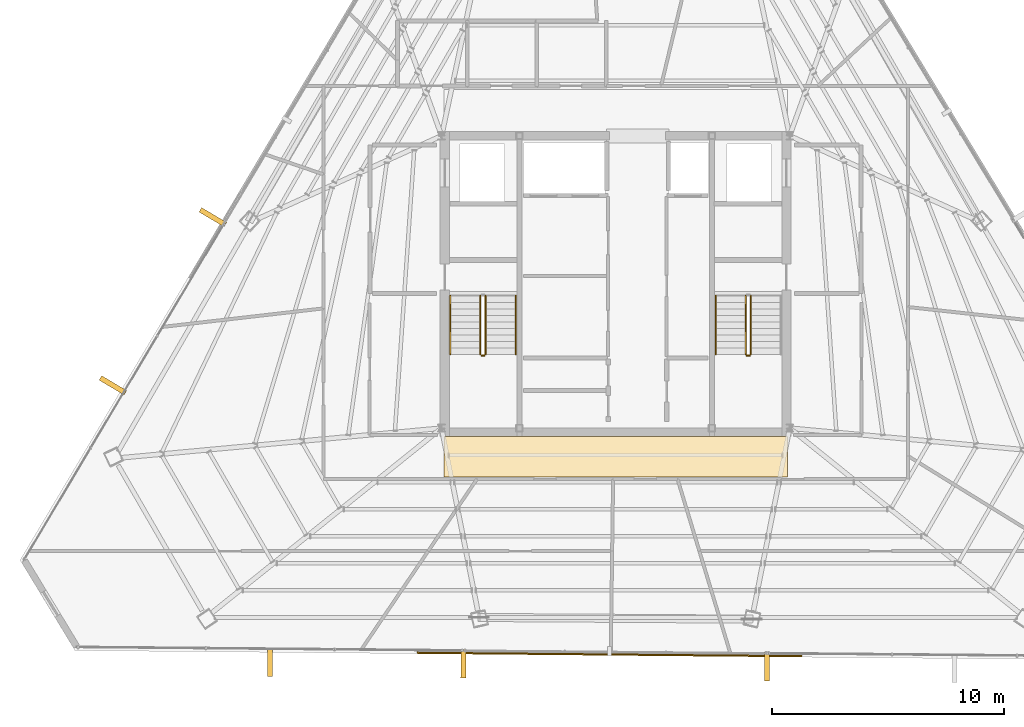
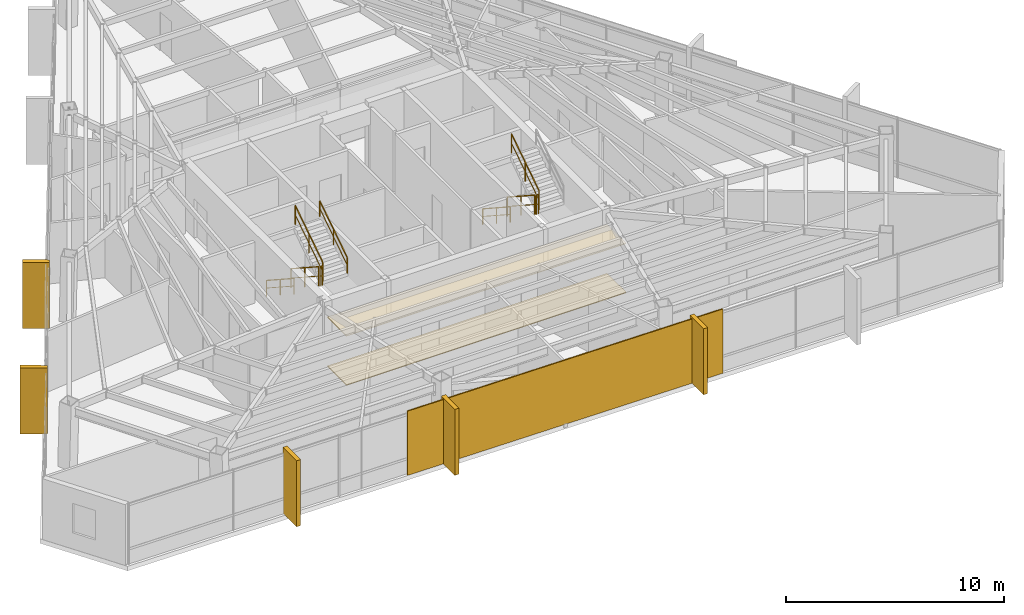
# One storey, part 45 of 47: 9 railings, 7 coverings, 1 shading device.
"""IFC4 building model written with IfcOpenShell, lengths in metres."""

from ifc_helpers import new_model, si_unit, direction, frame, origin, origin_2d, place, context, subcontext, project, spatial, polyline, rectangle, outline, extrude, source, transform, mapped, material, layer, layer_set, type_object, type_shapes, element, save


model = new_model("IFC4")

# Units and contexts
model_context = context("Model", 3, precision=1e-05, world=origin(), true_north=direction((0.0, 1.0)))
body_context = subcontext(model_context, "Body", "Model", "MODEL_VIEW")
ifc_project = project(units=[si_unit("LENGTHUNIT", "METRE"), si_unit("AREAUNIT", "SQUARE_METRE"), si_unit("VOLUMEUNIT", "CUBIC_METRE"), si_unit("PLANEANGLEUNIT", "RADIAN"), si_unit("MASSUNIT", "GRAM", prefix="KILO")], contexts=[model_context])

# Site, building, storey
site_placement = place(None, origin())
site = spatial("IfcSite", under=ifc_project, at=site_placement, CompositionType="ELEMENT")
building_placement = place(site_placement, origin())
building = spatial("IfcBuilding", under=site, at=building_placement, Name="Caelisora Broadcast Tower", CompositionType="ELEMENT")
storey_placement = place(building_placement, frame((0.0, 0.0, 248.10009765625)))
storey = spatial("IfcBuildingStorey", under=building, at=storey_placement, Name="L65", CompositionType="ELEMENT", Elevation=248.10009765625)

# Coverings
ifc_material_1 = material(Name="Perforated Mineral-Fibre Acoustic Ceiling Tile", Category="gypsum")
ifc_layer_1 = layer(ifc_material_1, 0.034912109375, Name="Perforated Mineral-Fibre Acoustic Ceiling Tile")
ifc_layer_set_1 = layer_set([ifc_layer_1], Name="Perforated Mineral-Fibre Acoustic Ceiling Tile")
covering_type_1 = type_object("IfcCoveringType", Name="CE-1", PredefinedType="CEILING", material=ifc_layer_set_1)
covering_1_placement = place(storey_placement, frame((0.0, 0.0, 2.75)))
element("IfcCovering", 1, at=covering_1_placement, inside=storey, type_object=covering_type_1, Name="L65 acoustic corridor ceiling CE-1 (S)", PredefinedType="CEILING", context=body_context, shape_type="SweptSolid", body=[
    extrude(outline(polyline([(30.60009765625, 15.300048828125), (45.39990234375, 15.300048828125), (45.39990234375, 17.050048828125), (30.60009765625, 17.050048828125), (30.60009765625, 15.300048828125)])), origin(), (0.0, 0.0, 1.0), 0.034912109375),
])
ifc_material_2 = material(Name="Anti-Static Broadcast Raised Access Floor Panel", Category="steel")
ifc_layer_2 = layer(ifc_material_2, 0.044921875, Name="Anti-Static Broadcast Raised Access Floor Panel")
ifc_layer_set_2 = layer_set([ifc_layer_2], Name="Anti-Static Broadcast Raised Access Floor Panel")
covering_type_2 = type_object("IfcCoveringType", Name="FL-1", PredefinedType="FLOORING", material=ifc_layer_set_2)
covering_2_placement = place(storey_placement, origin())
element("IfcCovering", 2, at=covering_2_placement, inside=storey, type_object=covering_type_2, Name="L65 broadcast raised access floor FL-1 (S)", PredefinedType="FLOORING", context=body_context, shape_type="SweptSolid", body=[
    extrude(outline(polyline([(30.60009765625, 15.300048828125), (45.39990234375, 15.300048828125), (45.39990234375, 17.050048828125), (30.60009765625, 17.050048828125), (30.60009765625, 15.300048828125)])), origin(), (0.0, 0.0, 1.0), 0.044921875),
])

# Railings
ifc_material_3 = material(Name="Galvanised Steel Safety Guardrail", Category="steel")
ifc_layer_3 = layer(ifc_material_3, 0.048095703125, Name="Galvanised Steel Safety Guardrail")
ifc_layer_set_3 = layer_set([ifc_layer_3], Name="Galvanised Steel Safety Guardrail")
railing_type_1 = type_object("IfcRailingType", Name="GR-1", PredefinedType="GUARDRAIL", material=ifc_layer_set_3)
railing_1_placement = place(storey_placement, frame((32.169921875, 23.10009765625, 0.182373046875)))
element("IfcRailing", 3, at=railing_1_placement, inside=storey, type_object=railing_type_1, Name="L65 ST-1 stair guard 1", PredefinedType="GUARDRAIL", context=body_context, shape_type="SweptSolid", body=[
    extrude(rectangle(XDim=0.048095703125, YDim=0.048095703125, at=origin_2d()), frame((0.0, 0.0, 1.076171875), z_axis=(0.0, -0.837749427056, 0.546054848405), x_axis=(1.0, 0.0, 0.0)), (0.0, 0.0, 1.0), 3.008056640625),
    extrude(rectangle(XDim=0.03125, YDim=0.03125, at=origin_2d()), frame((0.0, 0.0, 0.550048828125), z_axis=(0.0, -0.837749427056, 0.546054848405), x_axis=(1.0, 0.0, 0.0)), (0.0, 0.0, 1.0), 3.008056640625),
    extrude(rectangle(XDim=0.0419921875, YDim=0.0419921875, at=origin_2d()), origin(), (0.0, 0.0, 1.0), 1.052001953125),
    extrude(rectangle(XDim=0.0419921875, YDim=0.0419921875, at=origin_2d()), frame((0.0, -1.260009765625, 0.8212890625)), (0.0, 0.0, 1.0), 1.052001953125),
    extrude(rectangle(XDim=0.0419921875, YDim=0.0419921875, at=origin_2d()), frame((0.0, -2.52001953125, 1.642578125)), (0.0, 0.0, 1.0), 1.052001953125),
])
railing_2_placement = place(storey_placement, frame((32.219970703125, 20.530029296875, 1.824951171875)))
element("IfcRailing", 4, at=railing_2_placement, inside=storey, type_object=railing_type_1, Name="L65 ST-1 stair guard 2", PredefinedType="GUARDRAIL", context=body_context, shape_type="SweptSolid", body=[
    extrude(rectangle(XDim=0.048095703125, YDim=0.048095703125, at=origin_2d()), frame((0.0, 0.0, 1.076171875), z_axis=(1.0, 0.0, 0.0), x_axis=(0.0, 1.0, 0.0)), (0.0, 0.0, 1.0), 0.1201171875),
    extrude(rectangle(XDim=0.03125, YDim=0.03125, at=origin_2d()), frame((0.0, 0.0, 0.550048828125), z_axis=(1.0, 0.0, 0.0), x_axis=(0.0, 1.0, 0.0)), (0.0, 0.0, 1.0), 0.1201171875),
    extrude(rectangle(XDim=0.0419921875, YDim=0.0419921875, at=origin_2d()), origin(), (0.0, 0.0, 1.0), 1.052001953125),
    extrude(rectangle(XDim=0.0419921875, YDim=0.0419921875, at=origin_2d()), frame((0.1201171875, 0.0, 0.0)), (0.0, 0.0, 1.0), 1.052001953125),
])
railing_3_placement = place(storey_placement, frame((32.389892578125, 20.580078125, 2.00732421875)))
element("IfcRailing", 5, at=railing_3_placement, inside=storey, type_object=railing_type_1, Name="L65 ST-1 stair guard 3", PredefinedType="GUARDRAIL", context=body_context, shape_type="SweptSolid", body=[
    extrude(rectangle(XDim=0.048095703125, YDim=0.048095703125, at=origin_2d()), frame((0.0, 0.0, 1.076171875), z_axis=(0.0, 0.837749427056, 0.546054848405), x_axis=(-1.0, 0.0, 0.0)), (0.0, 0.0, 1.0), 3.008056640625),
    extrude(rectangle(XDim=0.03125, YDim=0.03125, at=origin_2d()), frame((0.0, 0.0, 0.550048828125), z_axis=(0.0, 0.837749427056, 0.546054848405), x_axis=(-1.0, 0.0, 0.0)), (0.0, 0.0, 1.0), 3.008056640625),
    extrude(rectangle(XDim=0.0419921875, YDim=0.0419921875, at=origin_2d()), origin(), (0.0, 0.0, 1.0), 1.052001953125),
    extrude(rectangle(XDim=0.0419921875, YDim=0.0419921875, at=origin_2d()), frame((0.0, 1.260009765625, 0.8212890625)), (0.0, 0.0, 1.0), 1.052001953125),
    extrude(rectangle(XDim=0.0419921875, YDim=0.0419921875, at=origin_2d()), frame((0.0, 2.52001953125, 1.642578125)), (0.0, 0.0, 1.0), 1.052001953125),
])
railing_4_placement = place(storey_placement, frame((43.610107421875, 23.10009765625, 0.182373046875)))
element("IfcRailing", 6, at=railing_4_placement, inside=storey, type_object=railing_type_1, Name="L65 ST-2 stair guard 1", PredefinedType="GUARDRAIL", context=body_context, shape_type="SweptSolid", body=[
    extrude(rectangle(XDim=0.048095703125, YDim=0.048095703125, at=origin_2d()), frame((0.0, 0.0, 1.076171875), z_axis=(0.0, -0.837749427056, 0.546054848405), x_axis=(1.0, 0.0, 0.0)), (0.0, 0.0, 1.0), 3.008056640625),
    extrude(rectangle(XDim=0.03125, YDim=0.03125, at=origin_2d()), frame((0.0, 0.0, 0.550048828125), z_axis=(0.0, -0.837749427056, 0.546054848405), x_axis=(1.0, 0.0, 0.0)), (0.0, 0.0, 1.0), 3.008056640625),
    extrude(rectangle(XDim=0.0419921875, YDim=0.0419921875, at=origin_2d()), origin(), (0.0, 0.0, 1.0), 1.052001953125),
    extrude(rectangle(XDim=0.0419921875, YDim=0.0419921875, at=origin_2d()), frame((0.0, -1.260009765625, 0.8212890625)), (0.0, 0.0, 1.0), 1.052001953125),
    extrude(rectangle(XDim=0.0419921875, YDim=0.0419921875, at=origin_2d()), frame((0.0, -2.52001953125, 1.642578125)), (0.0, 0.0, 1.0), 1.052001953125),
])
railing_5_placement = place(storey_placement, frame((43.659912109375, 20.530029296875, 1.824951171875)))
element("IfcRailing", 7, at=railing_5_placement, inside=storey, type_object=railing_type_1, Name="L65 ST-2 stair guard 2", PredefinedType="GUARDRAIL", context=body_context, shape_type="SweptSolid", body=[
    extrude(rectangle(XDim=0.048095703125, YDim=0.048095703125, at=origin_2d()), frame((0.0, 0.0, 1.076171875), z_axis=(1.0, 0.0, 0.0), x_axis=(0.0, 1.0, 0.0)), (0.0, 0.0, 1.0), 0.1201171875),
    extrude(rectangle(XDim=0.03125, YDim=0.03125, at=origin_2d()), frame((0.0, 0.0, 0.550048828125), z_axis=(1.0, 0.0, 0.0), x_axis=(0.0, 1.0, 0.0)), (0.0, 0.0, 1.0), 0.1201171875),
    extrude(rectangle(XDim=0.0419921875, YDim=0.0419921875, at=origin_2d()), origin(), (0.0, 0.0, 1.0), 1.052001953125),
    extrude(rectangle(XDim=0.0419921875, YDim=0.0419921875, at=origin_2d()), frame((0.1201171875, 0.0, 0.0)), (0.0, 0.0, 1.0), 1.052001953125),
])
railing_6_placement = place(storey_placement, frame((43.830078125, 20.580078125, 2.00732421875)))
element("IfcRailing", 8, at=railing_6_placement, inside=storey, type_object=railing_type_1, Name="L65 ST-2 stair guard 3", PredefinedType="GUARDRAIL", context=body_context, shape_type="SweptSolid", body=[
    extrude(rectangle(XDim=0.048095703125, YDim=0.048095703125, at=origin_2d()), frame((0.0, 0.0, 1.076171875), z_axis=(0.0, 0.837749427056, 0.546054848405), x_axis=(-1.0, 0.0, 0.0)), (0.0, 0.0, 1.0), 3.008056640625),
    extrude(rectangle(XDim=0.03125, YDim=0.03125, at=origin_2d()), frame((0.0, 0.0, 0.550048828125), z_axis=(0.0, 0.837749427056, 0.546054848405), x_axis=(-1.0, 0.0, 0.0)), (0.0, 0.0, 1.0), 3.008056640625),
    extrude(rectangle(XDim=0.0419921875, YDim=0.0419921875, at=origin_2d()), origin(), (0.0, 0.0, 1.0), 1.052001953125),
    extrude(rectangle(XDim=0.0419921875, YDim=0.0419921875, at=origin_2d()), frame((0.0, 1.260009765625, 0.8212890625)), (0.0, 0.0, 1.0), 1.052001953125),
    extrude(rectangle(XDim=0.0419921875, YDim=0.0419921875, at=origin_2d()), frame((0.0, 2.52001953125, 1.642578125)), (0.0, 0.0, 1.0), 1.052001953125),
])
ifc_material_4 = material(Name="Stainless Steel Grade 316 Tubular Handrail", Category="steel")
ifc_layer_4 = layer(ifc_material_4, 0.048095703125, Name="Stainless Steel Grade 316 Tubular Handrail")
ifc_layer_set_4 = layer_set([ifc_layer_4], Name="Stainless Steel Grade 316 Tubular Handrail")
railing_type_2 = type_object("IfcRailingType", Name="HR-1", PredefinedType="HANDRAIL", material=ifc_layer_set_4)
railing_7_placement = place(storey_placement, frame((30.8701171875, 23.10009765625, 0.182373046875)))
element("IfcRailing", 9, at=railing_7_placement, inside=storey, type_object=railing_type_2, Name="L65 ST-1 stair handrail 1", PredefinedType="HANDRAIL", context=body_context, shape_type="SweptSolid", body=[
    extrude(rectangle(XDim=0.048095703125, YDim=0.048095703125, at=origin_2d()), frame((0.0, 0.0, 0.8759765625), z_axis=(0.0, -0.837749427056, 0.546054848405), x_axis=(1.0, 0.0, 0.0)), (0.0, 0.0, 1.0), 3.008056640625),
    extrude(rectangle(XDim=0.03125, YDim=0.03125, at=origin_2d()), frame((0.0, 0.0, 0.449951171875), z_axis=(0.0, -0.837749427056, 0.546054848405), x_axis=(1.0, 0.0, 0.0)), (0.0, 0.0, 1.0), 3.008056640625),
    extrude(rectangle(XDim=0.0419921875, YDim=0.0419921875, at=origin_2d()), origin(), (0.0, 0.0, 1.0), 0.851806640625),
    extrude(rectangle(XDim=0.0419921875, YDim=0.0419921875, at=origin_2d()), frame((0.0, -1.260009765625, 0.8212890625)), (0.0, 0.0, 1.0), 0.851806640625),
    extrude(rectangle(XDim=0.0419921875, YDim=0.0419921875, at=origin_2d()), frame((0.0, -2.52001953125, 1.642578125)), (0.0, 0.0, 1.0), 0.851806640625),
])
railing_8_placement = place(storey_placement, frame((33.68994140625, 20.580078125, 2.00732421875)))
element("IfcRailing", 10, at=railing_8_placement, inside=storey, type_object=railing_type_2, Name="L65 ST-1 stair handrail 2", PredefinedType="HANDRAIL", context=body_context, shape_type="SweptSolid", body=[
    extrude(rectangle(XDim=0.048095703125, YDim=0.048095703125, at=origin_2d()), frame((0.0, 0.0, 0.8759765625), z_axis=(0.0, 0.837749427056, 0.546054848405), x_axis=(-1.0, 0.0, 0.0)), (0.0, 0.0, 1.0), 3.008056640625),
    extrude(rectangle(XDim=0.03125, YDim=0.03125, at=origin_2d()), frame((0.0, 0.0, 0.449951171875), z_axis=(0.0, 0.837749427056, 0.546054848405), x_axis=(-1.0, 0.0, 0.0)), (0.0, 0.0, 1.0), 3.008056640625),
    extrude(rectangle(XDim=0.0419921875, YDim=0.0419921875, at=origin_2d()), origin(), (0.0, 0.0, 1.0), 0.851806640625),
    extrude(rectangle(XDim=0.0419921875, YDim=0.0419921875, at=origin_2d()), frame((0.0, 1.260009765625, 0.8212890625)), (0.0, 0.0, 1.0), 0.851806640625),
    extrude(rectangle(XDim=0.0419921875, YDim=0.0419921875, at=origin_2d()), frame((0.0, 2.52001953125, 1.642578125)), (0.0, 0.0, 1.0), 0.851806640625),
])
railing_9_placement = place(storey_placement, frame((42.31005859375, 23.10009765625, 0.182373046875)))
element("IfcRailing", 11, at=railing_9_placement, inside=storey, type_object=railing_type_2, Name="L65 ST-2 stair handrail 1", PredefinedType="HANDRAIL", context=body_context, shape_type="SweptSolid", body=[
    extrude(rectangle(XDim=0.048095703125, YDim=0.048095703125, at=origin_2d()), frame((0.0, 0.0, 0.8759765625), z_axis=(0.0, -0.837749427056, 0.546054848405), x_axis=(1.0, 0.0, 0.0)), (0.0, 0.0, 1.0), 3.008056640625),
    extrude(rectangle(XDim=0.03125, YDim=0.03125, at=origin_2d()), frame((0.0, 0.0, 0.449951171875), z_axis=(0.0, -0.837749427056, 0.546054848405), x_axis=(1.0, 0.0, 0.0)), (0.0, 0.0, 1.0), 3.008056640625),
    extrude(rectangle(XDim=0.0419921875, YDim=0.0419921875, at=origin_2d()), origin(), (0.0, 0.0, 1.0), 0.851806640625),
    extrude(rectangle(XDim=0.0419921875, YDim=0.0419921875, at=origin_2d()), frame((0.0, -1.260009765625, 0.8212890625)), (0.0, 0.0, 1.0), 0.851806640625),
    extrude(rectangle(XDim=0.0419921875, YDim=0.0419921875, at=origin_2d()), frame((0.0, -2.52001953125, 1.642578125)), (0.0, 0.0, 1.0), 0.851806640625),
])

# Coverings
ifc_material_5 = material(Name="Kiln-Fired Terracotta Spandrel Rainscreen Cladding", Category="ceramic")
ifc_layer_5 = layer(ifc_material_5, 0.044921875, Name="Kiln-Fired Terracotta Spandrel Rainscreen Cladding")
ifc_layer_set_5 = layer_set([ifc_layer_5], Name="Kiln-Fired Terracotta Spandrel Rainscreen Cladding")
covering_type_3 = type_object("IfcCoveringType", Name="CL-1", PredefinedType="CLADDING", material=ifc_layer_set_5)
shared_shape_1 = source(origin(), body_context, "Body", "SweptSolid", [
    extrude(rectangle(XDim=0.219970703125, YDim=1.25, at=origin_2d()), origin(), (0.0, 0.0, 1.0), 3.68994140625),
])
type_shapes(covering_type_3, [shared_shape_1])
for number, where, z_axis, x_axis, name in (
    (12, (44.52392578125, 7.133056640625, -0.02001953125), (0.0, 0.0, 1.0), (-0.999958816008, 0.009075587519, 0.0), "L65 vertical solar fin cladding #2-2"),
    (13, (31.440185546875, 7.25146484375, -0.02001953125), (0.0, 0.0, 1.0), (-0.999958816008, 0.009075587519, 0.0), "L65 vertical solar fin cladding #2-3"),
    (14, (23.107666015625, 7.32666015625, -0.02001953125), (0.0, 0.0, 1.0), (-0.999958816008, 0.009075587519, 0.0), "L65 vertical solar fin cladding #2-4"),
    (15, (16.330810546875, 19.244873046875, -0.02001953125), (0.0, 0.0, 1.0), (0.511143083575, 0.859495635889, 0.0), "L65 vertical solar fin cladding #3-1"),
    (16, (20.638916015625, 26.490478515625, -0.02001953125), (0.0, 0.0, 1.0), (0.511143083575, 0.859495635889, 0.0), "L65 vertical solar fin cladding #3-2"),
):
    element("IfcCovering", number, at=place(storey_placement, frame(where, z_axis=z_axis, x_axis=x_axis)), inside=storey, type_object=covering_type_3, Name=name, PredefinedType="CLADDING", context=body_context, shape_type="MappedRepresentation", body=[
        mapped(shared_shape_1, transform((0.0, 0.0, 0.0), scale=1.0)),
    ])

# Shading device
ifc_material_6 = material(Name="Perforated Glazed Terracotta Baguette Solar Screen", Category="ceramic")
ifc_layer_6 = layer(ifc_material_6, 0.06494140625, Name="Perforated Glazed Terracotta Baguette Solar Screen")
ifc_layer_set_6 = layer_set([ifc_layer_6], Name="Perforated Glazed Terracotta Baguette Solar Screen")
shading_device_type = type_object("IfcShadingDeviceType", Name="SS-1", PredefinedType="USERDEFINED", material=ifc_layer_set_6)
shared_shape_2 = source(origin(), body_context, "Body", "SweptSolid", [
    extrude(rectangle(XDim=16.589111328125, YDim=0.06494140625, at=origin_2d()), origin(), (0.0, 0.0, 1.0), 3.590087890625),
])
type_shapes(shading_device_type, [shared_shape_2])
shading_device_placement = place(storey_placement, frame((37.7353515625, 7.64453125, 0.0), z_axis=(0.0, 0.0, 1.0), x_axis=(0.999958816008, -0.009075587519, 0.0)))
element("IfcShadingDevice", 17, at=shading_device_placement, inside=storey, type_object=shading_device_type, Name="L65 perforated terracotta solar screen #2", ObjectType="SOLAR SCREEN", PredefinedType="USERDEFINED", context=body_context, shape_type="MappedRepresentation", body=[
    mapped(shared_shape_2, transform((0.0, 0.0, 0.0), scale=1.0)),
])

save(model, "model.ifc")
